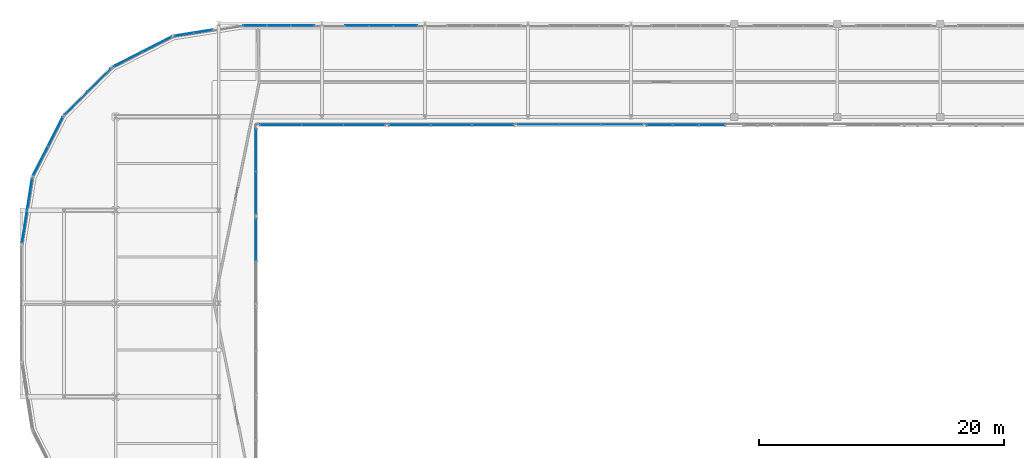
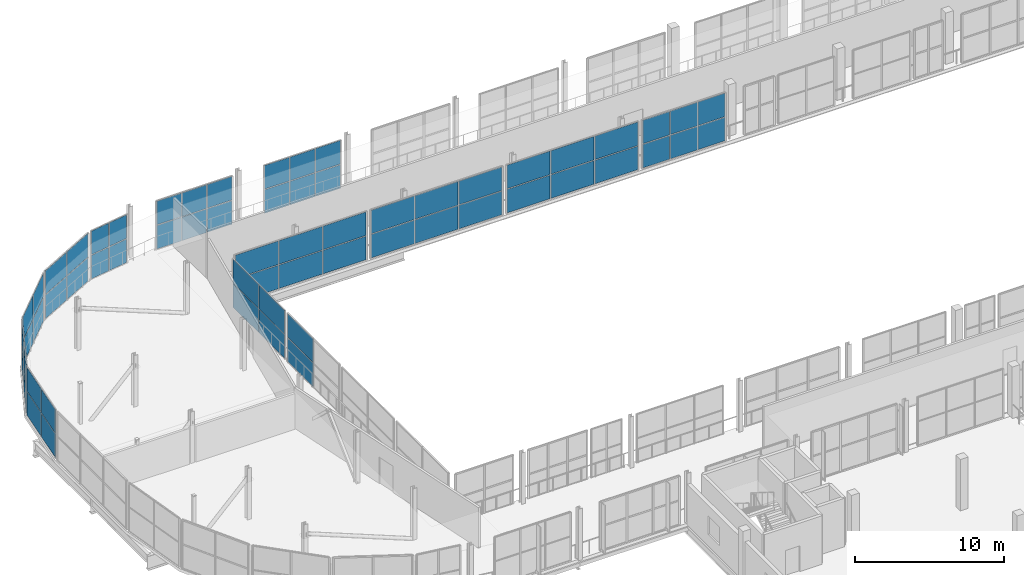
# One storey, part 117 of 151: 62 plates, 13 elements without a shape of their own.
"""IFC4 building model written with IfcOpenShell, lengths in metres."""

import ifcopenshell
import ifcopenshell.guid

model = None  # the IFC model being written
_history = None  # IfcOwnerHistory: only IFC2X3 demands one
_inside = {}  # id of a spatial element -> (the spatial element, [elements in it])
_under = {}  # id of a project, library or spatial element -> (it, [spatial elements below it])
_declared = {}  # id of a project -> (the project, [libraries it declares])
_typed = {}  # id of a type object -> (the type object, [elements of that type])
_made_of = {}  # id of a material, layer set ... -> (it, [elements and type objects made of it])


def new_model(schema):
    """Start an empty IFC model of exactly this schema.

    Asked for "IFC4X3", IfcOpenShell would pick the latest addendum, in which some entities
    have other attributes; the version numbers below select the first issue.
    IFC2X3 requires an IfcOwnerHistory on every rooted entity: one is made here for all.
    """
    global model, _history
    if schema == "IFC4X3":
        model = ifcopenshell.file(schema_version=(4, 3, 0, 0))
    else:
        model = ifcopenshell.file(schema=schema)
    _inside.clear()
    _under.clear()
    _declared.clear()
    _typed.clear()
    _made_of.clear()
    _history = None
    if model.schema == "IFC2X3":
        org = make("IfcOrganization", Name="unknown")
        user = make(
            "IfcPersonAndOrganization",
            ThePerson=make("IfcPerson", FamilyName="unknown"),
            TheOrganization=org,
        )
        app = make(
            "IfcApplication",
            ApplicationDeveloper=org,
            Version="unknown",
            ApplicationFullName="unknown",
            ApplicationIdentifier="unknown",
        )
        _history = make(
            "IfcOwnerHistory",
            OwningUser=user,
            OwningApplication=app,
            ChangeAction="ADDED",
            CreationDate=0,
        )
    return model


def make(cls, **values):
    """One entity of the class cls with the attributes given. An attribute that is None is left unset."""
    return model.create_entity(
        cls, **{name: value for name, value in values.items() if value is not None}
    )


def rooted(cls, **values):
    """An entity with a GlobalId (a new one), such as an element, a storey or a relation."""
    return make(cls, GlobalId=ifcopenshell.guid.new(), OwnerHistory=_history, **values)


def si_unit(unit_type, name, prefix=None):
    """IfcSIUnit, for example si_unit("LENGTHUNIT", "METRE", prefix="MILLI")."""
    return make("IfcSIUnit", UnitType=unit_type, Prefix=prefix, Name=name)


def assignment(units):
    """IfcUnitAssignment: the units of a project."""
    return None if units is None else make("IfcUnitAssignment", Units=units)


def point(xyz):
    """IfcCartesianPoint."""
    return None if xyz is None else make("IfcCartesianPoint", Coordinates=xyz)


def direction(xyz):
    """IfcDirection."""
    return None if xyz is None else make("IfcDirection", DirectionRatios=xyz)


def frame(location, z_axis=None, x_axis=None):
    """IfcAxis2Placement3D, a coordinate frame: its origin and axes. An axis left out is left unset."""
    return make(
        "IfcAxis2Placement3D",
        Location=point(location),
        Axis=direction(z_axis),
        RefDirection=direction(x_axis),
    )


def frame_2d(location, x_axis=None):
    """IfcAxis2Placement2D, a coordinate frame in the plane: its origin and x axis."""
    return make(
        "IfcAxis2Placement2D", Location=point(location), RefDirection=direction(x_axis)
    )


def origin():
    """The frame at (0, 0, 0) with its axes left unset."""
    return frame((0.0, 0.0, 0.0))


def origin_2d():
    """The frame at (0, 0) in the plane with its x axis left unset."""
    return frame_2d((0.0, 0.0))


def place(relative_to, where):
    """IfcLocalPlacement: puts the frame where relative to a parent placement (None: the world)."""
    return make(
        "IfcLocalPlacement", PlacementRelTo=relative_to, RelativePlacement=where
    )


def context(
    kind, dimensions, precision=None, world=None, true_north=None, identifier=None
):
    """IfcGeometricRepresentationContext, for example the 3D "Model" context."""
    return make(
        "IfcGeometricRepresentationContext",
        ContextIdentifier=identifier,
        ContextType=kind,
        CoordinateSpaceDimension=dimensions,
        Precision=precision,
        WorldCoordinateSystem=world,
        TrueNorth=true_north,
    )


def subcontext(parent, identifier, kind, view, scale=None):
    """IfcGeometricRepresentationSubContext, for example "Body" below "Model"."""
    return make(
        "IfcGeometricRepresentationSubContext",
        ContextIdentifier=identifier,
        ContextType=kind,
        ParentContext=parent,
        TargetScale=scale,
        TargetView=view,
    )


def project(units=None, contexts=None):
    """IfcProject with its units and contexts."""
    return rooted(
        "IfcProject",
        Name="project",
        RepresentationContexts=contexts,
        UnitsInContext=assignment(units),
    )


def spatial(cls, under=None, at=None, **own):
    """A site, building, storey or space (cls), placed at a placement, below another one or the project."""
    s = rooted(cls, ObjectPlacement=at, **own)
    if under is not None:
        _under.setdefault(under.id(), (under, []))[1].append(s)
    return s


def profile(cls, at=None, kind="AREA", **sizes):
    """A parametric profile (cls). Its sizes go by their IFC names, for example OverallWidth=200.0."""
    return make(cls, ProfileType=kind, Position=at, **sizes)


def rectangle(**sizes):
    """IfcRectangleProfileDef."""
    return profile("IfcRectangleProfileDef", **sizes)


def extrude(swept, where, along, depth):
    """IfcExtrudedAreaSolid: the profile swept, set in the frame where, extruded along a direction by depth."""
    return make(
        "IfcExtrudedAreaSolid",
        SweptArea=swept,
        Position=where,
        ExtrudedDirection=direction(along),
        Depth=depth,
    )


def shape(context_of_items, identifier, shape_type, items):
    """IfcShapeRepresentation: the items that make up one representation, for example the "Body"."""
    return make(
        "IfcShapeRepresentation",
        ContextOfItems=context_of_items,
        RepresentationIdentifier=identifier,
        RepresentationType=shape_type,
        Items=items,
    )


def material(Name=None, Category=None):
    """IfcMaterial."""
    return make("IfcMaterial", Name=Name, Category=Category)


def layer(
    of_material, thickness, ventilated=None, Name=None, Category=None, Priority=None
):
    """IfcMaterialLayer: one layer of a wall or slab, of a material (None: an air gap)."""
    return make(
        "IfcMaterialLayer",
        Material=of_material,
        LayerThickness=thickness,
        IsVentilated=ventilated,
        Name=Name,
        Category=Category,
        Priority=Priority,
    )


def layer_set(layers, Name=None):
    """IfcMaterialLayerSet."""
    return make("IfcMaterialLayerSet", MaterialLayers=layers, LayerSetName=Name)


def made_of(thing, what):
    """Note that an element or type object is made of a material, layer set ...; save() writes the relation."""
    if what is not None:
        _made_of.setdefault(what.id(), (what, []))[1].append(thing)
    return thing


def type_object(cls, material=None, **own):
    """A type object (cls), such as IfcWallType, which elements share."""
    return made_of(rooted(cls, **own), material)


def element(
    cls,
    number,
    at=None,
    inside=None,
    cuts=None,
    type_object=None,
    material=None,
    context=None,
    identifier="Body",
    shape_type=None,
    held_by="IfcProductDefinitionShape",
    body=None,
    shapes=None,
    **own,
):
    """One element of the class cls, such as IfcWall. Its Tag is "e" and its number.

    at: its placement. inside: the storey or other place that contains it. cuts: it is an
    opening in that element (IfcRelVoidsElement). A single representation is given by context,
    identifier, shape_type and body (its items); several are given by shapes. held_by: the class
    of the entity that holds the representations. save() writes the other relations.
    """
    e = rooted(cls, Tag="e%d" % number, ObjectPlacement=at, **own)
    if body is not None:
        shapes = [shape(context, identifier, shape_type, body)]
    if shapes is not None:
        e.Representation = make(held_by, Representations=shapes)
    if inside is not None:
        _inside.setdefault(inside.id(), (inside, []))[1].append(e)
    if cuts is not None:
        rooted(
            "IfcRelVoidsElement", RelatingBuildingElement=cuts, RelatedOpeningElement=e
        )
    if type_object is not None:
        _typed.setdefault(type_object.id(), (type_object, []))[1].append(e)
    return made_of(e, material)


def aggregate(whole, parts):
    """IfcRelAggregates: a whole, such as a stair, and the parts it consists of."""
    return rooted("IfcRelAggregates", RelatingObject=whole, RelatedObjects=parts)


def save(model, path):
    """Write the relations noted so far, then the file.

    IfcRelAggregates (storeys below a building ...), IfcRelContainedInSpatialStructure (elements
    in a storey), IfcRelDefinesByType, IfcRelAssociatesMaterial and IfcRelDeclares: one each for
    every whole, place, type object, material and project.
    """
    for whole, parts in _under.values():
        aggregate(whole, parts)
    for where, things in _inside.values():
        rooted(
            "IfcRelContainedInSpatialStructure",
            RelatedElements=things,
            RelatingStructure=where,
        )
    for kind, things in _typed.values():
        rooted("IfcRelDefinesByType", RelatedObjects=things, RelatingType=kind)
    for what, things in _made_of.values():
        rooted("IfcRelAssociatesMaterial", RelatedObjects=things, RelatingMaterial=what)
    for by, libraries in _declared.values():
        rooted("IfcRelDeclares", RelatingContext=by, RelatedDefinitions=libraries)
    model.write(path)


model = new_model("IFC4")

# Units and contexts
model_context = context("Model", 3, precision=1e-05, world=origin(), true_north=direction((0.0, 1.0)))
body_context = subcontext(model_context, "Body", "Model", "MODEL_VIEW")
ifc_project = project(units=[si_unit("LENGTHUNIT", "METRE"), si_unit("AREAUNIT", "SQUARE_METRE"), si_unit("VOLUMEUNIT", "CUBIC_METRE"), si_unit("PLANEANGLEUNIT", "RADIAN"), si_unit("MASSUNIT", "GRAM", prefix="KILO")], contexts=[model_context])

# Site, building, storey
site_placement = place(None, origin())
site = spatial("IfcSite", under=ifc_project, at=site_placement, CompositionType="ELEMENT")
building_placement = place(site_placement, origin())
building = spatial("IfcBuilding", under=site, at=building_placement, Name="Zuvorla Pavilion Media Centre", CompositionType="ELEMENT")
storey_placement = place(building_placement, frame((0.0, 0.0, 13.800048828125)))
storey = spatial("IfcBuildingStorey", under=building, at=storey_placement, Name="L03", CompositionType="ELEMENT", Elevation=13.800048828125)

# Curtain wall, plates
ifc_material_1 = material(Name="Unitised anodised aluminium and solar glass curtain wall", Category="aluminium")
curtain_wall_type_1 = type_object("IfcCurtainWallType", Name="CW-SYS-04", PredefinedType="USERDEFINED", material=ifc_material_1)
curtain_wall_1_placement = place(storey_placement, origin())
curtain_wall_1 = element("IfcCurtainWall", 1, at=curtain_wall_1_placement, inside=storey, type_object=curtain_wall_type_1, Name="L03 curtain wall CW04 123", ObjectType="CURTAIN WALL", PredefinedType="USERDEFINED")
ifc_material_2 = material(Name="Solar control double glazing", Category="glass")
ifc_layer_1 = layer(ifc_material_2, 0.028076171875)
ifc_layer_set_1 = layer_set([ifc_layer_1], Name="Solar control double glazing")
plate_type_1 = type_object("IfcPlateType", Name="CW-PNL-28", PredefinedType="CURTAIN_PANEL", material=ifc_layer_set_1)
plate_1_placement = place(storey_placement, frame((15.06689453125, 85.01123046875, 0.030029296875), z_axis=(0.0, 0.0, 1.0), x_axis=(-0.707106781187, -0.707106781187, 0.0)))
plate_1 = element("IfcPlate", 2, at=plate_1_placement, type_object=plate_type_1, Name="CW04 panel 1.1", PredefinedType="CURTAIN_PANEL", context=body_context, shape_type="SweptSolid", body=[
    extrude(rectangle(XDim=2.595947265625, YDim=0.028076171875, at=origin_2d()), origin(), (0.0, 0.0, 1.0), 1.919921875),
])
plate_2_placement = place(storey_placement, frame((15.06689453125, 85.01123046875, 2.010009765625), z_axis=(0.0, 0.0, 1.0), x_axis=(-0.707106781187, -0.707106781187, 0.0)))
plate_2 = element("IfcPlate", 3, at=plate_2_placement, type_object=plate_type_1, Name="CW04 panel 1.2", PredefinedType="CURTAIN_PANEL", context=body_context, shape_type="SweptSolid", body=[
    extrude(rectangle(XDim=2.595947265625, YDim=0.028076171875, at=origin_2d()), origin(), (0.0, 0.0, 1.0), 1.919921875),
])
plate_3_placement = place(storey_placement, frame((13.188720703125, 83.13330078125, 0.030029296875), z_axis=(0.0, 0.0, 1.0), x_axis=(-0.707106781187, -0.707106781187, 0.0)))
plate_3 = element("IfcPlate", 4, at=plate_3_placement, type_object=plate_type_1, Name="CW04 panel 2.1", PredefinedType="CURTAIN_PANEL", context=body_context, shape_type="SweptSolid", body=[
    extrude(rectangle(XDim=2.595947265625, YDim=0.028076171875, at=origin_2d()), origin(), (0.0, 0.0, 1.0), 1.919921875),
])
plate_4_placement = place(storey_placement, frame((13.188720703125, 83.13330078125, 2.010009765625), z_axis=(0.0, 0.0, 1.0), x_axis=(-0.707106781187, -0.707106781187, 0.0)))
plate_4 = element("IfcPlate", 5, at=plate_4_placement, type_object=plate_type_1, Name="CW04 panel 2.2", PredefinedType="CURTAIN_PANEL", context=body_context, shape_type="SweptSolid", body=[
    extrude(rectangle(XDim=2.595947265625, YDim=0.028076171875, at=origin_2d()), origin(), (0.0, 0.0, 1.0), 1.919921875),
])
aggregate(curtain_wall_1, [plate_1, plate_2, plate_3, plate_4])

curtain_wall_type_2 = type_object("IfcCurtainWallType", Name="CW-SYS-35", PredefinedType="USERDEFINED", material=ifc_material_1)
curtain_wall_2_placement = place(storey_placement, origin())
curtain_wall_2 = element("IfcCurtainWall", 6, at=curtain_wall_2_placement, inside=storey, type_object=curtain_wall_type_2, Name="L03 curtain wall CW35 155", ObjectType="CURTAIN WALL", PredefinedType="USERDEFINED")
plate_5_placement = place(storey_placement, frame((57.643310546875, 81.360107421875, 0.030029296875), z_axis=(0.0, 0.0, 1.0), x_axis=(-1.0, 0.0, 0.0)))
plate_5 = element("IfcPlate", 7, at=plate_5_placement, type_object=plate_type_1, Name="CW35 panel 1.1", PredefinedType="CURTAIN_PANEL", context=body_context, shape_type="SweptSolid", body=[
    extrude(rectangle(XDim=3.333251953125, YDim=0.028076171875, at=origin_2d()), origin(), (0.0, 0.0, 1.0), 1.919921875),
])
plate_6_placement = place(storey_placement, frame((57.643310546875, 81.360107421875, 2.010009765625), z_axis=(0.0, 0.0, 1.0), x_axis=(-1.0, 0.0, 0.0)))
plate_6 = element("IfcPlate", 8, at=plate_6_placement, type_object=plate_type_1, Name="CW35 panel 1.2", PredefinedType="CURTAIN_PANEL", context=body_context, shape_type="SweptSolid", body=[
    extrude(rectangle(XDim=3.333251953125, YDim=0.028076171875, at=origin_2d()), origin(), (0.0, 0.0, 1.0), 1.919921875),
])
plate_7_placement = place(storey_placement, frame((54.25, 81.360107421875, 0.030029296875), z_axis=(0.0, 0.0, 1.0), x_axis=(-1.0, 0.0, 0.0)))
plate_7 = element("IfcPlate", 9, at=plate_7_placement, type_object=plate_type_1, Name="CW35 panel 2.1", PredefinedType="CURTAIN_PANEL", context=body_context, shape_type="SweptSolid", body=[
    extrude(rectangle(XDim=3.333251953125, YDim=0.028076171875, at=origin_2d()), origin(), (0.0, 0.0, 1.0), 1.919921875),
])
plate_8_placement = place(storey_placement, frame((54.25, 81.360107421875, 2.010009765625), z_axis=(0.0, 0.0, 1.0), x_axis=(-1.0, 0.0, 0.0)))
plate_8 = element("IfcPlate", 10, at=plate_8_placement, type_object=plate_type_1, Name="CW35 panel 2.2", PredefinedType="CURTAIN_PANEL", context=body_context, shape_type="SweptSolid", body=[
    extrude(rectangle(XDim=3.333251953125, YDim=0.028076171875, at=origin_2d()), origin(), (0.0, 0.0, 1.0), 1.919921875),
])
plate_9_placement = place(storey_placement, frame((50.856689453125, 81.360107421875, 0.030029296875), z_axis=(0.0, 0.0, 1.0), x_axis=(-1.0, 0.0, 0.0)))
plate_9 = element("IfcPlate", 11, at=plate_9_placement, type_object=plate_type_1, Name="CW35 panel 3.1", PredefinedType="CURTAIN_PANEL", context=body_context, shape_type="SweptSolid", body=[
    extrude(rectangle(XDim=3.333251953125, YDim=0.028076171875, at=origin_2d()), origin(), (0.0, 0.0, 1.0), 1.919921875),
])
plate_10_placement = place(storey_placement, frame((50.856689453125, 81.360107421875, 2.010009765625), z_axis=(0.0, 0.0, 1.0), x_axis=(-1.0, 0.0, 0.0)))
plate_10 = element("IfcPlate", 12, at=plate_10_placement, type_object=plate_type_1, Name="CW35 panel 3.2", PredefinedType="CURTAIN_PANEL", context=body_context, shape_type="SweptSolid", body=[
    extrude(rectangle(XDim=3.333251953125, YDim=0.028076171875, at=origin_2d()), origin(), (0.0, 0.0, 1.0), 1.919921875),
])
aggregate(curtain_wall_2, [plate_5, plate_6, plate_7, plate_8, plate_9, plate_10])

curtain_wall_type_3 = type_object("IfcCurtainWallType", Name="CW-SYS-67", PredefinedType="USERDEFINED", material=ifc_material_1)
curtain_wall_3_placement = place(storey_placement, origin())
curtain_wall_3 = element("IfcCurtainWall", 13, at=curtain_wall_3_placement, inside=storey, type_object=curtain_wall_type_3, Name="L03 curtain wall CW67 119", ObjectType="CURTAIN WALL", PredefinedType="USERDEFINED")
ifc_material_3 = material(Name="Acoustic laminated solar glazing", Category="glass")
ifc_layer_2 = layer(ifc_material_3, 0.033935546875)
ifc_layer_set_2 = layer_set([ifc_layer_2], Name="Acoustic laminated solar glazing")
plate_type_2 = type_object("IfcPlateType", Name="CW-PNL-34", PredefinedType="CURTAIN_PANEL", material=ifc_layer_set_2)
plate_11_placement = place(storey_placement, frame((40.029296875, 89.43994140625, 0.030029296875), z_axis=(0.0, 0.0, 1.0), x_axis=(-1.0, 0.0, 0.0)))
plate_11 = element("IfcPlate", 14, at=plate_11_placement, type_object=plate_type_2, Name="CW67 panel 1.1", PredefinedType="CURTAIN_PANEL", context=body_context, shape_type="SweptSolid", body=[
    extrude(rectangle(XDim=1.917724609375, YDim=0.033935546875, at=origin_2d()), origin(), (0.0, 0.0, 1.0), 1.919921875),
])
plate_12_placement = place(storey_placement, frame((40.029296875, 89.43994140625, 2.010009765625), z_axis=(0.0, 0.0, 1.0), x_axis=(-1.0, 0.0, 0.0)))
plate_12 = element("IfcPlate", 15, at=plate_12_placement, type_object=plate_type_2, Name="CW67 panel 1.2", PredefinedType="CURTAIN_PANEL", context=body_context, shape_type="SweptSolid", body=[
    extrude(rectangle(XDim=1.917724609375, YDim=0.033935546875, at=origin_2d()), origin(), (0.0, 0.0, 1.0), 1.919921875),
])
plate_13_placement = place(storey_placement, frame((38.051513671875, 89.43994140625, 0.030029296875), z_axis=(0.0, 0.0, 1.0), x_axis=(-1.0, 0.0, 0.0)))
plate_13 = element("IfcPlate", 16, at=plate_13_placement, type_object=plate_type_2, Name="CW67 panel 2.1", PredefinedType="CURTAIN_PANEL", context=body_context, shape_type="SweptSolid", body=[
    extrude(rectangle(XDim=1.917724609375, YDim=0.033935546875, at=origin_2d()), origin(), (0.0, 0.0, 1.0), 1.919921875),
])
plate_14_placement = place(storey_placement, frame((38.051513671875, 89.43994140625, 2.010009765625), z_axis=(0.0, 0.0, 1.0), x_axis=(-1.0, 0.0, 0.0)))
plate_14 = element("IfcPlate", 17, at=plate_14_placement, type_object=plate_type_2, Name="CW67 panel 2.2", PredefinedType="CURTAIN_PANEL", context=body_context, shape_type="SweptSolid", body=[
    extrude(rectangle(XDim=1.917724609375, YDim=0.033935546875, at=origin_2d()), origin(), (0.0, 0.0, 1.0), 1.919921875),
])
plate_15_placement = place(storey_placement, frame((36.07373046875, 89.43994140625, 0.030029296875), z_axis=(0.0, 0.0, 1.0), x_axis=(-1.0, 0.0, 0.0)))
plate_15 = element("IfcPlate", 18, at=plate_15_placement, type_object=plate_type_2, Name="CW67 panel 3.1", PredefinedType="CURTAIN_PANEL", context=body_context, shape_type="SweptSolid", body=[
    extrude(rectangle(XDim=1.917724609375, YDim=0.033935546875, at=origin_2d()), origin(), (0.0, 0.0, 1.0), 1.919921875),
])
plate_16_placement = place(storey_placement, frame((36.07373046875, 89.43994140625, 2.010009765625), z_axis=(0.0, 0.0, 1.0), x_axis=(-1.0, 0.0, 0.0)))
plate_16 = element("IfcPlate", 19, at=plate_16_placement, type_object=plate_type_2, Name="CW67 panel 3.2", PredefinedType="CURTAIN_PANEL", context=body_context, shape_type="SweptSolid", body=[
    extrude(rectangle(XDim=1.917724609375, YDim=0.033935546875, at=origin_2d()), origin(), (0.0, 0.0, 1.0), 1.919921875),
])
aggregate(curtain_wall_3, [plate_11, plate_12, plate_13, plate_14, plate_15, plate_16])

curtain_wall_type_4 = type_object("IfcCurtainWallType", Name="CW-SYS-06", PredefinedType="USERDEFINED", material=ifc_material_1)
curtain_wall_4_placement = place(storey_placement, origin())
curtain_wall_4 = element("IfcCurtainWall", 20, at=curtain_wall_4_placement, inside=storey, type_object=curtain_wall_type_4, Name="L03 curtain wall CW06 121", ObjectType="CURTAIN WALL", PredefinedType="USERDEFINED")
plate_17_placement = place(storey_placement, frame((23.522705078125, 88.970947265625, 0.030029296875), z_axis=(0.0, 0.0, 1.0), x_axis=(-0.987688857741, -0.156431199877, 0.0)))
plate_17 = element("IfcPlate", 21, at=plate_17_placement, type_object=plate_type_2, Name="CW06 panel 1.1", PredefinedType="CURTAIN_PANEL", context=body_context, shape_type="SweptSolid", body=[
    extrude(rectangle(XDim=1.495849609375, YDim=0.033935546875, at=origin_2d()), origin(), (0.0, 0.0, 1.0), 1.919921875),
])
plate_18_placement = place(storey_placement, frame((23.522705078125, 88.970947265625, 2.010009765625), z_axis=(0.0, 0.0, 1.0), x_axis=(-0.987688857741, -0.156431199877, 0.0)))
plate_18 = element("IfcPlate", 22, at=plate_18_placement, type_object=plate_type_2, Name="CW06 panel 1.2", PredefinedType="CURTAIN_PANEL", context=body_context, shape_type="SweptSolid", body=[
    extrude(rectangle(XDim=1.495849609375, YDim=0.033935546875, at=origin_2d()), origin(), (0.0, 0.0, 1.0), 1.919921875),
])
plate_19_placement = place(storey_placement, frame((21.986083984375, 88.7275390625, 0.030029296875), z_axis=(0.0, 0.0, 1.0), x_axis=(-0.987688857741, -0.156431199877, 0.0)))
plate_19 = element("IfcPlate", 23, at=plate_19_placement, type_object=plate_type_2, Name="CW06 panel 2.1", PredefinedType="CURTAIN_PANEL", context=body_context, shape_type="SweptSolid", body=[
    extrude(rectangle(XDim=1.495849609375, YDim=0.033935546875, at=origin_2d()), origin(), (0.0, 0.0, 1.0), 1.919921875),
])
plate_20_placement = place(storey_placement, frame((21.986083984375, 88.7275390625, 2.010009765625), z_axis=(0.0, 0.0, 1.0), x_axis=(-0.987688857741, -0.156431199877, 0.0)))
plate_20 = element("IfcPlate", 24, at=plate_20_placement, type_object=plate_type_2, Name="CW06 panel 2.2", PredefinedType="CURTAIN_PANEL", context=body_context, shape_type="SweptSolid", body=[
    extrude(rectangle(XDim=1.495849609375, YDim=0.033935546875, at=origin_2d()), origin(), (0.0, 0.0, 1.0), 1.919921875),
])
aggregate(curtain_wall_4, [plate_17, plate_18, plate_19, plate_20])

curtain_wall_type_5 = type_object("IfcCurtainWallType", Name="CW-SYS-02", PredefinedType="USERDEFINED", material=ifc_material_1)
curtain_wall_5_placement = place(storey_placement, origin())
curtain_wall_5 = element("IfcCurtainWall", 25, at=curtain_wall_5_placement, inside=storey, type_object=curtain_wall_type_5, Name="L03 curtain wall CW02 124", ObjectType="CURTAIN WALL", PredefinedType="USERDEFINED")
plate_21_placement = place(storey_placement, frame((11.487060546875, 80.790771484375, 0.030029296875), z_axis=(0.0, 0.0, 1.0), x_axis=(-0.453985852193, -0.891008892216, 0.0)))
plate_21 = element("IfcPlate", 26, at=plate_21_placement, type_object=plate_type_2, Name="CW02 panel 1.1", PredefinedType="CURTAIN_PANEL", context=body_context, shape_type="SweptSolid", body=[
    extrude(rectangle(XDim=2.595703125, YDim=0.033935546875, at=origin_2d()), origin(), (0.0, 0.0, 1.0), 1.919921875),
])
plate_22_placement = place(storey_placement, frame((11.487060546875, 80.790771484375, 2.010009765625), z_axis=(0.0, 0.0, 1.0), x_axis=(-0.453985852193, -0.891008892216, 0.0)))
plate_22 = element("IfcPlate", 27, at=plate_22_placement, type_object=plate_type_2, Name="CW02 panel 1.2", PredefinedType="CURTAIN_PANEL", context=body_context, shape_type="SweptSolid", body=[
    extrude(rectangle(XDim=2.595703125, YDim=0.033935546875, at=origin_2d()), origin(), (0.0, 0.0, 1.0), 1.919921875),
])
plate_23_placement = place(storey_placement, frame((10.28125, 78.424560546875, 0.030029296875), z_axis=(0.0, 0.0, 1.0), x_axis=(-0.453985852193, -0.891008892216, 0.0)))
plate_23 = element("IfcPlate", 28, at=plate_23_placement, type_object=plate_type_2, Name="CW02 panel 2.1", PredefinedType="CURTAIN_PANEL", context=body_context, shape_type="SweptSolid", body=[
    extrude(rectangle(XDim=2.595703125, YDim=0.033935546875, at=origin_2d()), origin(), (0.0, 0.0, 1.0), 1.919921875),
])
plate_24_placement = place(storey_placement, frame((10.28125, 78.424560546875, 2.010009765625), z_axis=(0.0, 0.0, 1.0), x_axis=(-0.453985852193, -0.891008892216, 0.0)))
plate_24 = element("IfcPlate", 29, at=plate_24_placement, type_object=plate_type_2, Name="CW02 panel 2.2", PredefinedType="CURTAIN_PANEL", context=body_context, shape_type="SweptSolid", body=[
    extrude(rectangle(XDim=2.595703125, YDim=0.033935546875, at=origin_2d()), origin(), (0.0, 0.0, 1.0), 1.919921875),
])
aggregate(curtain_wall_5, [plate_21, plate_22, plate_23, plate_24])

curtain_wall_type_6 = type_object("IfcCurtainWallType", Name="CW-SYS-30", PredefinedType="USERDEFINED", material=ifc_material_1)
curtain_wall_6_placement = place(storey_placement, origin())
curtain_wall_6 = element("IfcCurtainWall", 30, at=curtain_wall_6_placement, inside=storey, type_object=curtain_wall_type_6, Name="L03 curtain wall CW30 150", ObjectType="CURTAIN WALL", PredefinedType="USERDEFINED")
plate_25_placement = place(storey_placement, frame((36.643310546875, 81.360107421875, 0.030029296875), z_axis=(0.0, 0.0, 1.0), x_axis=(-1.0, 0.0, 0.0)))
plate_25 = element("IfcPlate", 31, at=plate_25_placement, type_object=plate_type_2, Name="CW30 panel 1.1", PredefinedType="CURTAIN_PANEL", context=body_context, shape_type="SweptSolid", body=[
    extrude(rectangle(XDim=3.333251953125, YDim=0.033935546875, at=origin_2d()), origin(), (0.0, 0.0, 1.0), 1.919921875),
])
plate_26_placement = place(storey_placement, frame((36.643310546875, 81.360107421875, 2.010009765625), z_axis=(0.0, 0.0, 1.0), x_axis=(-1.0, 0.0, 0.0)))
plate_26 = element("IfcPlate", 32, at=plate_26_placement, type_object=plate_type_2, Name="CW30 panel 1.2", PredefinedType="CURTAIN_PANEL", context=body_context, shape_type="SweptSolid", body=[
    extrude(rectangle(XDim=3.333251953125, YDim=0.033935546875, at=origin_2d()), origin(), (0.0, 0.0, 1.0), 1.919921875),
])
plate_27_placement = place(storey_placement, frame((33.25, 81.360107421875, 0.030029296875), z_axis=(0.0, 0.0, 1.0), x_axis=(-1.0, 0.0, 0.0)))
plate_27 = element("IfcPlate", 33, at=plate_27_placement, type_object=plate_type_2, Name="CW30 panel 2.1", PredefinedType="CURTAIN_PANEL", context=body_context, shape_type="SweptSolid", body=[
    extrude(rectangle(XDim=3.333251953125, YDim=0.033935546875, at=origin_2d()), origin(), (0.0, 0.0, 1.0), 1.919921875),
])
plate_28_placement = place(storey_placement, frame((33.25, 81.360107421875, 2.010009765625), z_axis=(0.0, 0.0, 1.0), x_axis=(-1.0, 0.0, 0.0)))
plate_28 = element("IfcPlate", 34, at=plate_28_placement, type_object=plate_type_2, Name="CW30 panel 2.2", PredefinedType="CURTAIN_PANEL", context=body_context, shape_type="SweptSolid", body=[
    extrude(rectangle(XDim=3.333251953125, YDim=0.033935546875, at=origin_2d()), origin(), (0.0, 0.0, 1.0), 1.919921875),
])
plate_29_placement = place(storey_placement, frame((29.856689453125, 81.360107421875, 0.030029296875), z_axis=(0.0, 0.0, 1.0), x_axis=(-1.0, 0.0, 0.0)))
plate_29 = element("IfcPlate", 35, at=plate_29_placement, type_object=plate_type_2, Name="CW30 panel 3.1", PredefinedType="CURTAIN_PANEL", context=body_context, shape_type="SweptSolid", body=[
    extrude(rectangle(XDim=3.333251953125, YDim=0.033935546875, at=origin_2d()), origin(), (0.0, 0.0, 1.0), 1.919921875),
])
plate_30_placement = place(storey_placement, frame((29.856689453125, 81.360107421875, 2.010009765625), z_axis=(0.0, 0.0, 1.0), x_axis=(-1.0, 0.0, 0.0)))
plate_30 = element("IfcPlate", 36, at=plate_30_placement, type_object=plate_type_2, Name="CW30 panel 3.2", PredefinedType="CURTAIN_PANEL", context=body_context, shape_type="SweptSolid", body=[
    extrude(rectangle(XDim=3.333251953125, YDim=0.033935546875, at=origin_2d()), origin(), (0.0, 0.0, 1.0), 1.919921875),
])
aggregate(curtain_wall_6, [plate_25, plate_26, plate_27, plate_28, plate_29, plate_30])

curtain_wall_type_7 = type_object("IfcCurtainWallType", Name="CW-SYS-77", PredefinedType="USERDEFINED", material=ifc_material_1)
curtain_wall_7_placement = place(storey_placement, origin())
curtain_wall_7 = element("IfcCurtainWall", 37, at=curtain_wall_7_placement, inside=storey, type_object=curtain_wall_type_7, Name="L03 curtain wall CW77 159", ObjectType="CURTAIN WALL", PredefinedType="USERDEFINED")
plate_31_placement = place(storey_placement, frame((64.98974609375, 81.360107421875, 0.030029296875), z_axis=(0.0, 0.0, 1.0), x_axis=(-1.0, 0.0, 0.0)))
plate_31 = element("IfcPlate", 38, at=plate_31_placement, type_object=plate_type_2, Name="CW77 panel 1.1", PredefinedType="CURTAIN_PANEL", context=body_context, shape_type="SweptSolid", body=[
    extrude(rectangle(XDim=2.072021484375, YDim=0.033935546875, at=origin_2d()), origin(), (0.0, 0.0, 1.0), 1.919921875),
])
plate_32_placement = place(storey_placement, frame((64.98974609375, 81.360107421875, 2.010009765625), z_axis=(0.0, 0.0, 1.0), x_axis=(-1.0, 0.0, 0.0)))
plate_32 = element("IfcPlate", 39, at=plate_32_placement, type_object=plate_type_2, Name="CW77 panel 1.2", PredefinedType="CURTAIN_PANEL", context=body_context, shape_type="SweptSolid", body=[
    extrude(rectangle(XDim=2.072021484375, YDim=0.033935546875, at=origin_2d()), origin(), (0.0, 0.0, 1.0), 1.919921875),
])
plate_33_placement = place(storey_placement, frame((62.85791015625, 81.360107421875, 0.030029296875), z_axis=(0.0, 0.0, 1.0), x_axis=(-1.0, 0.0, 0.0)))
plate_33 = element("IfcPlate", 40, at=plate_33_placement, type_object=plate_type_2, Name="CW77 panel 2.1", PredefinedType="CURTAIN_PANEL", context=body_context, shape_type="SweptSolid", body=[
    extrude(rectangle(XDim=2.072021484375, YDim=0.033935546875, at=origin_2d()), origin(), (0.0, 0.0, 1.0), 1.919921875),
])
plate_34_placement = place(storey_placement, frame((62.85791015625, 81.360107421875, 2.010009765625), z_axis=(0.0, 0.0, 1.0), x_axis=(-1.0, 0.0, 0.0)))
plate_34 = element("IfcPlate", 41, at=plate_34_placement, type_object=plate_type_2, Name="CW77 panel 2.2", PredefinedType="CURTAIN_PANEL", context=body_context, shape_type="SweptSolid", body=[
    extrude(rectangle(XDim=2.072021484375, YDim=0.033935546875, at=origin_2d()), origin(), (0.0, 0.0, 1.0), 1.919921875),
])
plate_35_placement = place(storey_placement, frame((60.725830078125, 81.360107421875, 0.030029296875), z_axis=(0.0, 0.0, 1.0), x_axis=(-1.0, 0.0, 0.0)))
plate_35 = element("IfcPlate", 42, at=plate_35_placement, type_object=plate_type_2, Name="CW77 panel 3.1", PredefinedType="CURTAIN_PANEL", context=body_context, shape_type="SweptSolid", body=[
    extrude(rectangle(XDim=2.072021484375, YDim=0.033935546875, at=origin_2d()), origin(), (0.0, 0.0, 1.0), 1.919921875),
])
plate_36_placement = place(storey_placement, frame((60.725830078125, 81.360107421875, 2.010009765625), z_axis=(0.0, 0.0, 1.0), x_axis=(-1.0, 0.0, 0.0)))
plate_36 = element("IfcPlate", 43, at=plate_36_placement, type_object=plate_type_2, Name="CW77 panel 3.2", PredefinedType="CURTAIN_PANEL", context=body_context, shape_type="SweptSolid", body=[
    extrude(rectangle(XDim=2.072021484375, YDim=0.033935546875, at=origin_2d()), origin(), (0.0, 0.0, 1.0), 1.919921875),
])
aggregate(curtain_wall_7, [plate_31, plate_32, plate_33, plate_34, plate_35, plate_36])

curtain_wall_type_8 = type_object("IfcCurtainWallType", Name="CW-SYS-58", PredefinedType="USERDEFINED", material=ifc_material_1)
curtain_wall_8_placement = place(storey_placement, origin())
curtain_wall_8 = element("IfcCurtainWall", 44, at=curtain_wall_8_placement, inside=storey, type_object=curtain_wall_type_8, Name="L03 curtain wall CW58 190", ObjectType="CURTAIN WALL", PredefinedType="USERDEFINED")
plate_37_placement = place(storey_placement, frame((27.840087890625, 71.9951171875, 0.030029296875), z_axis=(0.0, 0.0, 1.0), x_axis=(0.0, -1.0, 0.0)))
plate_37 = element("IfcPlate", 45, at=plate_37_placement, type_object=plate_type_2, Name="CW58 panel 1.1", PredefinedType="CURTAIN_PANEL", context=body_context, shape_type="SweptSolid", body=[
    extrude(rectangle(XDim=3.429931640625, YDim=0.033935546875, at=origin_2d()), origin(), (0.0, 0.0, 1.0), 1.919921875),
])
plate_38_placement = place(storey_placement, frame((27.840087890625, 71.9951171875, 2.010009765625), z_axis=(0.0, 0.0, 1.0), x_axis=(0.0, -1.0, 0.0)))
plate_38 = element("IfcPlate", 46, at=plate_38_placement, type_object=plate_type_2, Name="CW58 panel 1.2", PredefinedType="CURTAIN_PANEL", context=body_context, shape_type="SweptSolid", body=[
    extrude(rectangle(XDim=3.429931640625, YDim=0.033935546875, at=origin_2d()), origin(), (0.0, 0.0, 1.0), 1.919921875),
])
aggregate(curtain_wall_8, [plate_37, plate_38])

curtain_wall_type_9 = type_object("IfcCurtainWallType", Name="CW-SYS-27", PredefinedType="USERDEFINED", material=ifc_material_1)
curtain_wall_9_placement = place(storey_placement, origin())
curtain_wall_9 = element("IfcCurtainWall", 47, at=curtain_wall_9_placement, inside=storey, type_object=curtain_wall_type_9, Name="L03 curtain wall CW27 120", ObjectType="CURTAIN WALL", PredefinedType="USERDEFINED")
ifc_material_4 = material(Name="Triple acoustic broadcast glazing", Category="glass")
ifc_layer_3 = layer(ifc_material_4, 0.0419921875)
ifc_layer_set_3 = layer_set([ifc_layer_3], Name="Triple acoustic broadcast glazing")
plate_type_3 = type_object("IfcPlateType", Name="CW-PNL-42", PredefinedType="CURTAIN_PANEL", material=ifc_layer_set_3)
plate_39_placement = place(storey_placement, frame((31.641845703125, 89.43994140625, 0.030029296875), z_axis=(0.0, 0.0, 1.0), x_axis=(-1.0, 0.0, 0.0)))
plate_39 = element("IfcPlate", 48, at=plate_39_placement, type_object=plate_type_3, Name="CW27 panel 1.1", PredefinedType="CURTAIN_PANEL", context=body_context, shape_type="SweptSolid", body=[
    extrude(rectangle(XDim=1.892578125, YDim=0.0419921875, at=origin_2d()), origin(), (0.0, 0.0, 1.0), 1.919921875),
])
plate_40_placement = place(storey_placement, frame((31.641845703125, 89.43994140625, 2.010009765625), z_axis=(0.0, 0.0, 1.0), x_axis=(-1.0, 0.0, 0.0)))
plate_40 = element("IfcPlate", 49, at=plate_40_placement, type_object=plate_type_3, Name="CW27 panel 1.2", PredefinedType="CURTAIN_PANEL", context=body_context, shape_type="SweptSolid", body=[
    extrude(rectangle(XDim=1.892578125, YDim=0.0419921875, at=origin_2d()), origin(), (0.0, 0.0, 1.0), 1.919921875),
])
plate_41_placement = place(storey_placement, frame((29.68896484375, 89.43994140625, 0.030029296875), z_axis=(0.0, 0.0, 1.0), x_axis=(-1.0, 0.0, 0.0)))
plate_41 = element("IfcPlate", 50, at=plate_41_placement, type_object=plate_type_3, Name="CW27 panel 2.1", PredefinedType="CURTAIN_PANEL", context=body_context, shape_type="SweptSolid", body=[
    extrude(rectangle(XDim=1.892578125, YDim=0.0419921875, at=origin_2d()), origin(), (0.0, 0.0, 1.0), 1.919921875),
])
plate_42_placement = place(storey_placement, frame((29.68896484375, 89.43994140625, 2.010009765625), z_axis=(0.0, 0.0, 1.0), x_axis=(-1.0, 0.0, 0.0)))
plate_42 = element("IfcPlate", 51, at=plate_42_placement, type_object=plate_type_3, Name="CW27 panel 2.2", PredefinedType="CURTAIN_PANEL", context=body_context, shape_type="SweptSolid", body=[
    extrude(rectangle(XDim=1.892578125, YDim=0.0419921875, at=origin_2d()), origin(), (0.0, 0.0, 1.0), 1.919921875),
])
plate_43_placement = place(storey_placement, frame((27.736328125, 89.43994140625, 0.030029296875), z_axis=(0.0, 0.0, 1.0), x_axis=(-1.0, 0.0, 0.0)))
plate_43 = element("IfcPlate", 52, at=plate_43_placement, type_object=plate_type_3, Name="CW27 panel 3.1", PredefinedType="CURTAIN_PANEL", context=body_context, shape_type="SweptSolid", body=[
    extrude(rectangle(XDim=1.892578125, YDim=0.0419921875, at=origin_2d()), origin(), (0.0, 0.0, 1.0), 1.919921875),
])
plate_44_placement = place(storey_placement, frame((27.736328125, 89.43994140625, 2.010009765625), z_axis=(0.0, 0.0, 1.0), x_axis=(-1.0, 0.0, 0.0)))
plate_44 = element("IfcPlate", 53, at=plate_44_placement, type_object=plate_type_3, Name="CW27 panel 3.2", PredefinedType="CURTAIN_PANEL", context=body_context, shape_type="SweptSolid", body=[
    extrude(rectangle(XDim=1.892578125, YDim=0.0419921875, at=origin_2d()), origin(), (0.0, 0.0, 1.0), 1.919921875),
])
aggregate(curtain_wall_9, [plate_39, plate_40, plate_41, plate_42, plate_43, plate_44])

curtain_wall_type_10 = type_object("IfcCurtainWallType", Name="CW-SYS-03", PredefinedType="USERDEFINED", material=ifc_material_1)
curtain_wall_10_placement = place(storey_placement, origin())
curtain_wall_10 = element("IfcCurtainWall", 54, at=curtain_wall_10_placement, inside=storey, type_object=curtain_wall_type_10, Name="L03 curtain wall CW03 122", ObjectType="CURTAIN WALL", PredefinedType="USERDEFINED")
plate_45_placement = place(storey_placement, frame((19.775634765625, 87.918701171875, 0.030029296875), z_axis=(0.0, 0.0, 1.0), x_axis=(-0.891008892216, -0.453985852193, 0.0)))
plate_45 = element("IfcPlate", 55, at=plate_45_placement, type_object=plate_type_3, Name="CW03 panel 1.1", PredefinedType="CURTAIN_PANEL", context=body_context, shape_type="SweptSolid", body=[
    extrude(rectangle(XDim=2.595703125, YDim=0.0419921875, at=origin_2d()), origin(), (0.0, 0.0, 1.0), 1.919921875),
])
plate_46_placement = place(storey_placement, frame((19.775634765625, 87.918701171875, 2.010009765625), z_axis=(0.0, 0.0, 1.0), x_axis=(-0.891008892216, -0.453985852193, 0.0)))
plate_46 = element("IfcPlate", 56, at=plate_46_placement, type_object=plate_type_3, Name="CW03 panel 1.2", PredefinedType="CURTAIN_PANEL", context=body_context, shape_type="SweptSolid", body=[
    extrude(rectangle(XDim=2.595703125, YDim=0.0419921875, at=origin_2d()), origin(), (0.0, 0.0, 1.0), 1.919921875),
])
plate_47_placement = place(storey_placement, frame((17.4091796875, 86.713134765625, 0.030029296875), z_axis=(0.0, 0.0, 1.0), x_axis=(-0.891008892216, -0.453985852193, 0.0)))
plate_47 = element("IfcPlate", 57, at=plate_47_placement, type_object=plate_type_3, Name="CW03 panel 2.1", PredefinedType="CURTAIN_PANEL", context=body_context, shape_type="SweptSolid", body=[
    extrude(rectangle(XDim=2.595703125, YDim=0.0419921875, at=origin_2d()), origin(), (0.0, 0.0, 1.0), 1.919921875),
])
plate_48_placement = place(storey_placement, frame((17.4091796875, 86.713134765625, 2.010009765625), z_axis=(0.0, 0.0, 1.0), x_axis=(-0.891008892216, -0.453985852193, 0.0)))
plate_48 = element("IfcPlate", 58, at=plate_48_placement, type_object=plate_type_3, Name="CW03 panel 2.2", PredefinedType="CURTAIN_PANEL", context=body_context, shape_type="SweptSolid", body=[
    extrude(rectangle(XDim=2.595703125, YDim=0.0419921875, at=origin_2d()), origin(), (0.0, 0.0, 1.0), 1.919921875),
])
aggregate(curtain_wall_10, [plate_45, plate_46, plate_47, plate_48])

curtain_wall_11_placement = place(storey_placement, origin())
curtain_wall_11 = element("IfcCurtainWall", 59, at=curtain_wall_11_placement, inside=storey, type_object=curtain_wall_type_10, Name="L03 curtain wall CW03 125", ObjectType="CURTAIN WALL", PredefinedType="USERDEFINED")
plate_49_placement = place(storey_placement, frame((9.386474609375, 75.6708984375, 0.030029296875), z_axis=(0.0, 0.0, 1.0), x_axis=(-0.156428534885, -0.987689279821, 0.0)))
plate_49 = element("IfcPlate", 60, at=plate_49_placement, type_object=plate_type_3, Name="CW03 panel 1.1", PredefinedType="CURTAIN_PANEL", context=body_context, shape_type="SweptSolid", body=[
    extrude(rectangle(XDim=2.595947265625, YDim=0.0419921875, at=origin_2d()), origin(), (0.0, 0.0, 1.0), 1.919921875),
])
plate_50_placement = place(storey_placement, frame((9.386474609375, 75.6708984375, 2.010009765625), z_axis=(0.0, 0.0, 1.0), x_axis=(-0.156428534885, -0.987689279821, 0.0)))
plate_50 = element("IfcPlate", 61, at=plate_50_placement, type_object=plate_type_3, Name="CW03 panel 1.2", PredefinedType="CURTAIN_PANEL", context=body_context, shape_type="SweptSolid", body=[
    extrude(rectangle(XDim=2.595947265625, YDim=0.0419921875, at=origin_2d()), origin(), (0.0, 0.0, 1.0), 1.919921875),
])
plate_51_placement = place(storey_placement, frame((8.970947265625, 73.047607421875, 0.030029296875), z_axis=(0.0, 0.0, 1.0), x_axis=(-0.156428534885, -0.987689279821, 0.0)))
plate_51 = element("IfcPlate", 62, at=plate_51_placement, type_object=plate_type_3, Name="CW03 panel 2.1", PredefinedType="CURTAIN_PANEL", context=body_context, shape_type="SweptSolid", body=[
    extrude(rectangle(XDim=2.595947265625, YDim=0.0419921875, at=origin_2d()), origin(), (0.0, 0.0, 1.0), 1.919921875),
])
plate_52_placement = place(storey_placement, frame((8.970947265625, 73.047607421875, 2.010009765625), z_axis=(0.0, 0.0, 1.0), x_axis=(-0.156428534885, -0.987689279821, 0.0)))
plate_52 = element("IfcPlate", 63, at=plate_52_placement, type_object=plate_type_3, Name="CW03 panel 2.2", PredefinedType="CURTAIN_PANEL", context=body_context, shape_type="SweptSolid", body=[
    extrude(rectangle(XDim=2.595947265625, YDim=0.0419921875, at=origin_2d()), origin(), (0.0, 0.0, 1.0), 1.919921875),
])
aggregate(curtain_wall_11, [plate_49, plate_50, plate_51, plate_52])

curtain_wall_type_11 = type_object("IfcCurtainWallType", Name="CW-SYS-33", PredefinedType="USERDEFINED", material=ifc_material_1)
curtain_wall_12_placement = place(storey_placement, origin())
curtain_wall_12 = element("IfcCurtainWall", 64, at=curtain_wall_12_placement, inside=storey, type_object=curtain_wall_type_11, Name="L03 curtain wall CW33 153", ObjectType="CURTAIN WALL", PredefinedType="USERDEFINED")
plate_53_placement = place(storey_placement, frame((47.143310546875, 81.360107421875, 0.030029296875), z_axis=(0.0, 0.0, 1.0), x_axis=(-1.0, 0.0, 0.0)))
plate_53 = element("IfcPlate", 65, at=plate_53_placement, type_object=plate_type_3, Name="CW33 panel 1.1", PredefinedType="CURTAIN_PANEL", context=body_context, shape_type="SweptSolid", body=[
    extrude(rectangle(XDim=3.333251953125, YDim=0.0419921875, at=origin_2d()), origin(), (0.0, 0.0, 1.0), 1.919921875),
])
plate_54_placement = place(storey_placement, frame((47.143310546875, 81.360107421875, 2.010009765625), z_axis=(0.0, 0.0, 1.0), x_axis=(-1.0, 0.0, 0.0)))
plate_54 = element("IfcPlate", 66, at=plate_54_placement, type_object=plate_type_3, Name="CW33 panel 1.2", PredefinedType="CURTAIN_PANEL", context=body_context, shape_type="SweptSolid", body=[
    extrude(rectangle(XDim=3.333251953125, YDim=0.0419921875, at=origin_2d()), origin(), (0.0, 0.0, 1.0), 1.919921875),
])
plate_55_placement = place(storey_placement, frame((43.75, 81.360107421875, 0.030029296875), z_axis=(0.0, 0.0, 1.0), x_axis=(-1.0, 0.0, 0.0)))
plate_55 = element("IfcPlate", 67, at=plate_55_placement, type_object=plate_type_3, Name="CW33 panel 2.1", PredefinedType="CURTAIN_PANEL", context=body_context, shape_type="SweptSolid", body=[
    extrude(rectangle(XDim=3.333251953125, YDim=0.0419921875, at=origin_2d()), origin(), (0.0, 0.0, 1.0), 1.919921875),
])
plate_56_placement = place(storey_placement, frame((43.75, 81.360107421875, 2.010009765625), z_axis=(0.0, 0.0, 1.0), x_axis=(-1.0, 0.0, 0.0)))
plate_56 = element("IfcPlate", 68, at=plate_56_placement, type_object=plate_type_3, Name="CW33 panel 2.2", PredefinedType="CURTAIN_PANEL", context=body_context, shape_type="SweptSolid", body=[
    extrude(rectangle(XDim=3.333251953125, YDim=0.0419921875, at=origin_2d()), origin(), (0.0, 0.0, 1.0), 1.919921875),
])
plate_57_placement = place(storey_placement, frame((40.356689453125, 81.360107421875, 0.030029296875), z_axis=(0.0, 0.0, 1.0), x_axis=(-1.0, 0.0, 0.0)))
plate_57 = element("IfcPlate", 69, at=plate_57_placement, type_object=plate_type_3, Name="CW33 panel 3.1", PredefinedType="CURTAIN_PANEL", context=body_context, shape_type="SweptSolid", body=[
    extrude(rectangle(XDim=3.333251953125, YDim=0.0419921875, at=origin_2d()), origin(), (0.0, 0.0, 1.0), 1.919921875),
])
plate_58_placement = place(storey_placement, frame((40.356689453125, 81.360107421875, 2.010009765625), z_axis=(0.0, 0.0, 1.0), x_axis=(-1.0, 0.0, 0.0)))
plate_58 = element("IfcPlate", 70, at=plate_58_placement, type_object=plate_type_3, Name="CW33 panel 3.2", PredefinedType="CURTAIN_PANEL", context=body_context, shape_type="SweptSolid", body=[
    extrude(rectangle(XDim=3.333251953125, YDim=0.0419921875, at=origin_2d()), origin(), (0.0, 0.0, 1.0), 1.919921875),
])
aggregate(curtain_wall_12, [plate_53, plate_54, plate_55, plate_56, plate_57, plate_58])

curtain_wall_type_12 = type_object("IfcCurtainWallType", Name="CW-SYS-57", PredefinedType="USERDEFINED", material=ifc_material_1)
curtain_wall_13_placement = place(storey_placement, origin())
curtain_wall_13 = element("IfcCurtainWall", 71, at=curtain_wall_13_placement, inside=storey, type_object=curtain_wall_type_12, Name="L03 curtain wall CW57 192", ObjectType="CURTAIN WALL", PredefinedType="USERDEFINED")
plate_59_placement = place(storey_placement, frame((27.840087890625, 79.294921875, 0.030029296875), z_axis=(0.0, 0.0, 1.0), x_axis=(0.0, -1.0, 0.0)))
plate_59 = element("IfcPlate", 72, at=plate_59_placement, type_object=plate_type_3, Name="CW57 panel 1.1", PredefinedType="CURTAIN_PANEL", context=body_context, shape_type="SweptSolid", body=[
    extrude(rectangle(XDim=3.429931640625, YDim=0.0419921875, at=origin_2d()), origin(), (0.0, 0.0, 1.0), 1.919921875),
])
plate_60_placement = place(storey_placement, frame((27.840087890625, 79.294921875, 2.010009765625), z_axis=(0.0, 0.0, 1.0), x_axis=(0.0, -1.0, 0.0)))
plate_60 = element("IfcPlate", 73, at=plate_60_placement, type_object=plate_type_3, Name="CW57 panel 1.2", PredefinedType="CURTAIN_PANEL", context=body_context, shape_type="SweptSolid", body=[
    extrude(rectangle(XDim=3.429931640625, YDim=0.0419921875, at=origin_2d()), origin(), (0.0, 0.0, 1.0), 1.919921875),
])
plate_61_placement = place(storey_placement, frame((27.840087890625, 75.804931640625, 0.030029296875), z_axis=(0.0, 0.0, 1.0), x_axis=(0.0, -1.0, 0.0)))
plate_61 = element("IfcPlate", 74, at=plate_61_placement, type_object=plate_type_3, Name="CW57 panel 2.1", PredefinedType="CURTAIN_PANEL", context=body_context, shape_type="SweptSolid", body=[
    extrude(rectangle(XDim=3.429931640625, YDim=0.0419921875, at=origin_2d()), origin(), (0.0, 0.0, 1.0), 1.919921875),
])
plate_62_placement = place(storey_placement, frame((27.840087890625, 75.804931640625, 2.010009765625), z_axis=(0.0, 0.0, 1.0), x_axis=(0.0, -1.0, 0.0)))
plate_62 = element("IfcPlate", 75, at=plate_62_placement, type_object=plate_type_3, Name="CW57 panel 2.2", PredefinedType="CURTAIN_PANEL", context=body_context, shape_type="SweptSolid", body=[
    extrude(rectangle(XDim=3.429931640625, YDim=0.0419921875, at=origin_2d()), origin(), (0.0, 0.0, 1.0), 1.919921875),
])
aggregate(curtain_wall_13, [plate_59, plate_60, plate_61, plate_62])

save(model, "model.ifc")
